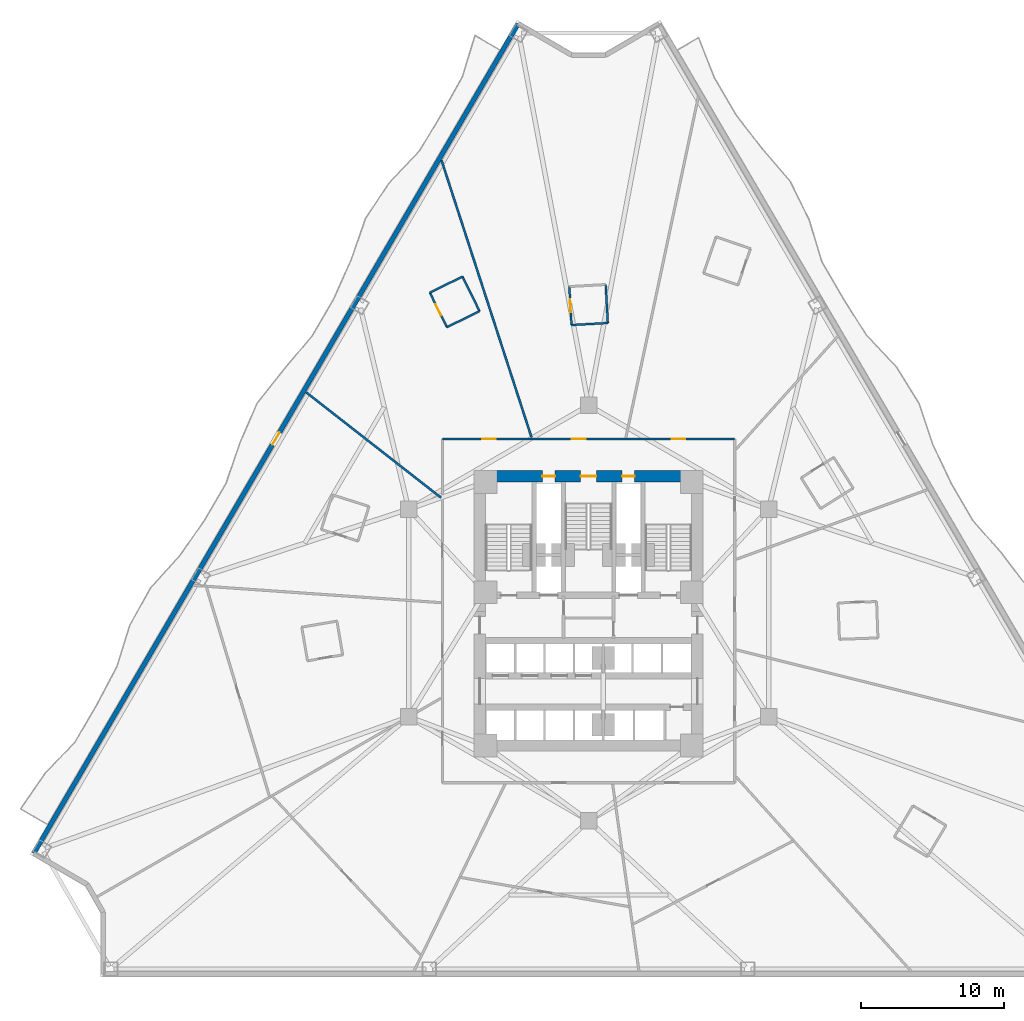
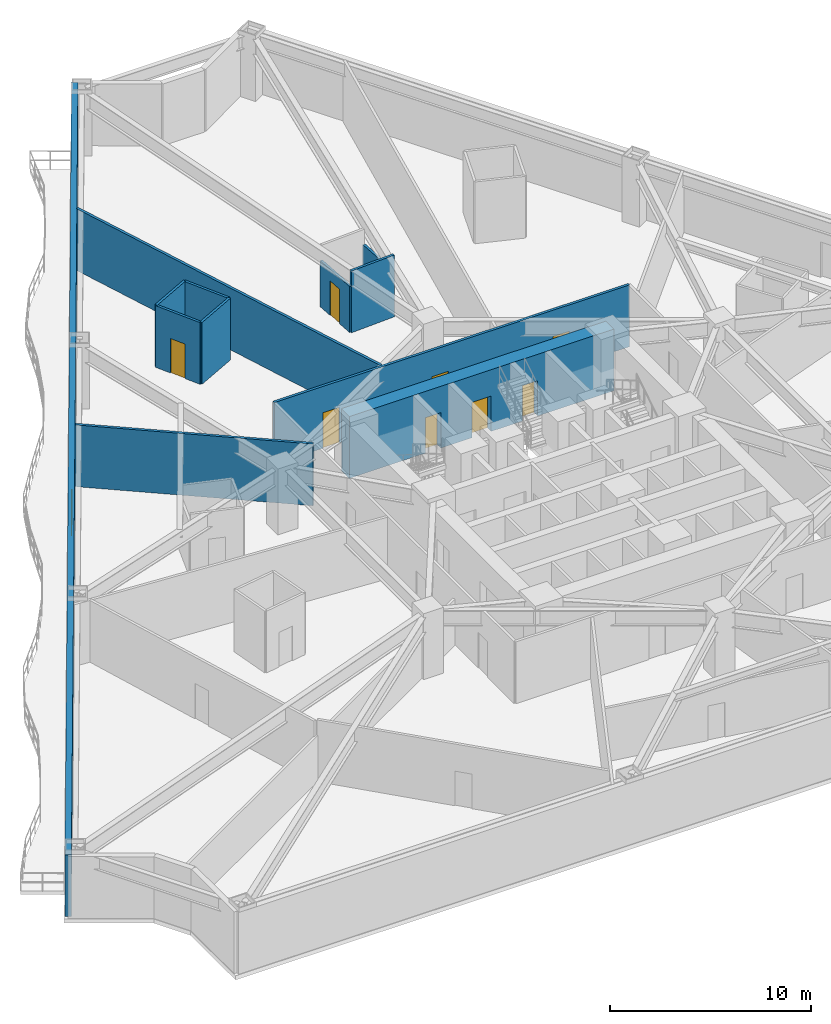
# One storey, part 6 of 11: 12 walls, 9 doors, 9 openings.
"""IFC4 building model written with IfcOpenShell, lengths in metres."""

from ifc_helpers import new_model, si_unit, direction, frame, frame_2d, origin, place, context, subcontext, project, spatial, rectangle, extrude, material, layer, layer_set, type_object, element, fill, save


model = new_model("IFC4")

# Units and contexts
model_context = context("Model", 3, precision=1e-05, world=origin(), true_north=direction((0.0, 1.0)))
body_context = subcontext(model_context, "Body", "Model", "MODEL_VIEW")
ifc_project = project(units=[si_unit("LENGTHUNIT", "METRE"), si_unit("AREAUNIT", "SQUARE_METRE"), si_unit("VOLUMEUNIT", "CUBIC_METRE"), si_unit("PLANEANGLEUNIT", "RADIAN"), si_unit("MASSUNIT", "GRAM", prefix="KILO")], contexts=[model_context])

# Site, building, storey
site_placement = place(None, origin())
site = spatial("IfcSite", under=ifc_project, at=site_placement, CompositionType="ELEMENT")
building_placement = place(site_placement, origin())
building = spatial("IfcBuilding", under=site, at=building_placement, Name="Apsidion Concourse Tower", CompositionType="ELEMENT")
storey_placement = place(building_placement, frame((0.0, 0.0, 54.39990234375)))
storey = spatial("IfcBuildingStorey", under=building, at=storey_placement, Name="L11", CompositionType="ELEMENT", Elevation=54.39990234375)

# Wall, opening, door
ifc_material_1 = material(Name="Precast concrete C40/50", Category="concrete")
ifc_layer_1 = layer(ifc_material_1, 0.320068359375)
ifc_layer_set_1 = layer_set([ifc_layer_1], Name="Precast concrete C40/50")
wall_type_1 = type_object("IfcWallType", Name="WL-EXT-320", PredefinedType="STANDARD", material=ifc_layer_set_1)
wall_1_placement = place(storey_placement, frame((-38.725830078125, -16.7734375, 0.0), z_axis=(0.0, 0.0, 1.0), x_axis=(0.504213113214, 0.863579258935, 0.0)))
wall_1 = element("IfcWall", 1, at=wall_1_placement, inside=storey, type_object=wall_type_1, Name="L11 Precast Stone Facade Wall 09", PredefinedType="STANDARD", context=body_context, shape_type="SweptSolid", body=[
    extrude(rectangle(XDim=67.041015625, YDim=0.320068359375, at=frame_2d((33.5205078125, 0.0))), origin(), (0.0, 0.0, 1.0), 3.75),
])
opening_1_placement = place(wall_1_placement, frame((33.0205078125, 0.0, 0.0)))
opening_1 = element("IfcOpeningElement", 2, at=opening_1_placement, cuts=wall_1, Name="Opening D-T1L", PredefinedType="OPENING", context=body_context, shape_type="SweptSolid", body=[
    extrude(rectangle(XDim=1.0, YDim=2.14990234375, at=frame_2d((0.5, 1.074951171875))), frame((0.0, 0.169921875, 0.0), z_axis=(0.0, -1.0, 0.0), x_axis=(1.0, 0.0, 0.0)), (0.0, 0.0, 1.0), 0.340087890625),
])
ifc_material_2 = material(Name="Anodised aluminium EN AW-6063 T6", Category="aluminium")
door_type_1 = type_object("IfcDoorType", Name="DR-TER-1022L", OperationType="SINGLE_SWING_LEFT", PredefinedType="DOOR", material=ifc_material_2)
door_1_placement = place(opening_1_placement, origin())
door_1 = element("IfcDoor", 3, at=door_1_placement, inside=storey, type_object=door_type_1, Name="L11 Balcony Access Door 2", OperationType="SINGLE_SWING_LEFT", OverallHeight=2.14990234375, OverallWidth=1.0, PredefinedType="DOOR", context=body_context, shape_type="SweptSolid", body=[
    extrude(rectangle(XDim=1.0, YDim=2.14990234375, at=frame_2d((0.5, 1.074951171875))), frame((0.0, 0.02490234375, 0.0), z_axis=(0.0, -1.0, 0.0), x_axis=(1.0, 0.0, 0.0)), (0.0, 0.0, 1.0), 0.050048828125),
])
fill(opening_1, door_1)

# Wall
ifc_material_3 = material(Name="Gypsum plasterboard partition")
ifc_layer_2 = layer(ifc_material_3, 0.139892578125)
ifc_layer_set_2 = layer_set([ifc_layer_2], Name="Gypsum plasterboard partition")
wall_type_2 = type_object("IfcWallType", Name="WL-INT-PAR-140", PredefinedType="PARTITIONING", material=ifc_layer_set_2)
wall_2_placement = place(storey_placement, frame((1.341552734375, 20.243896484375, 0.0), z_axis=(0.0, 0.0, 1.0), x_axis=(-0.055816855724, 0.998441024106, 0.0)))
element("IfcWall", 4, at=wall_2_placement, inside=storey, type_object=wall_type_2, Name="L11 Interior Partition WL-L11-POD-ENS08-S1", PredefinedType="PARTITIONING", context=body_context, shape_type="SweptSolid", body=[
    extrude(rectangle(XDim=2.68994140625, YDim=0.139892578125, at=frame_2d((1.344970703125, 0.0))), origin(), (0.0, 0.0, 1.0), 2.798095703125),
])

# Wall, opening, door
wall_3_placement = place(storey_placement, frame((-1.3447265625, 22.787841796875, 0.0), z_axis=(0.0, 0.0, 1.0), x_axis=(0.055816855724, -0.998441024106, 0.0)))
wall_3 = element("IfcWall", 5, at=wall_3_placement, inside=storey, type_object=wall_type_2, Name="L11 Interior Partition WL-L11-POD-ENS08-S3", PredefinedType="PARTITIONING", context=body_context, shape_type="SweptSolid", body=[
    extrude(rectangle(XDim=2.68994140625, YDim=0.139892578125, at=frame_2d((1.344970703125, 0.0))), origin(), (0.0, 0.0, 1.0), 2.798095703125),
])
opening_2_placement = place(wall_3_placement, frame((0.905029296875, 0.0, 0.0)))
opening_2 = element("IfcOpeningElement", 6, at=opening_2_placement, cuts=wall_3, Name="Opening D-03L", PredefinedType="OPENING", context=body_context, shape_type="SweptSolid", body=[
    extrude(rectangle(XDim=0.8798828125, YDim=2.10009765625, at=frame_2d((0.43994140625, 1.050048828125))), frame((0.0, 0.080078125, 0.0), z_axis=(0.0, -1.0, 0.0), x_axis=(1.0, 0.0, 0.0)), (0.0, 0.0, 1.0), 0.159912109375),
])
door_type_2 = type_object("IfcDoorType", Name="DR-INT-D03L", OperationType="SINGLE_SWING_LEFT", PredefinedType="DOOR", material=ifc_material_2)
door_2_placement = place(opening_2_placement, origin())
door_2 = element("IfcDoor", 7, at=door_2_placement, inside=storey, type_object=door_type_2, Name="L11 Guest En-Suite Bathroom Door ENS08", OperationType="SINGLE_SWING_LEFT", OverallHeight=2.10009765625, OverallWidth=0.8798828125, PredefinedType="DOOR", context=body_context, shape_type="SweptSolid", body=[
    extrude(rectangle(XDim=0.8798828125, YDim=2.10009765625, at=frame_2d((0.43994140625, 1.050048828125))), frame((0.0, 0.02490234375, 0.0), z_axis=(0.0, -1.0, 0.0), x_axis=(1.0, 0.0, 0.0)), (0.0, 0.0, 1.0), 0.050048828125),
])
fill(opening_2, door_2)

# Walls
wall_4_placement = place(storey_placement, frame((-1.194580078125, 20.10205078125, 0.0), z_axis=(0.0, 0.0, 1.0), x_axis=(0.998439582043, 0.055842645087, 0.0)))
element("IfcWall", 8, at=wall_4_placement, inside=storey, type_object=wall_type_2, Name="L11 Interior Partition WL-L11-POD-ENS08-S4", PredefinedType="PARTITIONING", context=body_context, shape_type="SweptSolid", body=[
    extrude(rectangle(XDim=2.5400390625, YDim=0.139892578125, at=frame_2d((1.27001953125, 0.0))), origin(), (0.0, 0.0, 1.0), 3.75),
])
wall_5_placement = place(storey_placement, frame((-7.614013671875, 21.071044921875, 0.0), z_axis=(0.0, 0.0, 1.0), x_axis=(-0.441468216104, 0.89727688824, 0.0)))
element("IfcWall", 9, at=wall_5_placement, inside=storey, type_object=wall_type_2, Name="L11 Interior Partition WL-L11-POD-ENS09-S1", PredefinedType="PARTITIONING", context=body_context, shape_type="SweptSolid", body=[
    extrude(rectangle(XDim=2.68994140625, YDim=0.139892578125, at=frame_2d((1.344970703125, 0.0))), origin(), (0.0, 0.0, 1.0), 3.75),
])
wall_6_placement = place(storey_placement, frame((-8.801513671875, 23.484619140625, 0.0), z_axis=(0.0, 0.0, 1.0), x_axis=(-0.897291929889, -0.441437642886, 0.0)))
element("IfcWall", 10, at=wall_6_placement, inside=storey, type_object=wall_type_2, Name="L11 Interior Partition WL-L11-POD-ENS09-S2", PredefinedType="PARTITIONING", context=body_context, shape_type="SweptSolid", body=[
    extrude(rectangle(XDim=2.540283203125, YDim=0.139892578125, at=frame_2d((1.27001953125, 0.0))), origin(), (0.0, 0.0, 1.0), 3.75),
])

# Wall, opening, door
wall_7_placement = place(storey_placement, frame((-11.080810546875, 22.36328125, 0.0), z_axis=(0.0, 0.0, 1.0), x_axis=(0.441541285032, -0.897240933982, 0.0)))
wall_7 = element("IfcWall", 11, at=wall_7_placement, inside=storey, type_object=wall_type_2, Name="L11 Interior Partition WL-L11-POD-ENS09-S3", PredefinedType="PARTITIONING", context=body_context, shape_type="SweptSolid", body=[
    extrude(rectangle(XDim=2.68994140625, YDim=0.139892578125, at=frame_2d((1.344970703125, 0.0))), origin(), (0.0, 0.0, 1.0), 3.75),
])
opening_3_placement = place(wall_7_placement, frame((0.905029296875, 0.0, 0.0)))
opening_3 = element("IfcOpeningElement", 12, at=opening_3_placement, cuts=wall_7, Name="Opening D-03R", PredefinedType="OPENING", context=body_context, shape_type="SweptSolid", body=[
    extrude(rectangle(XDim=0.8798828125, YDim=2.10009765625, at=frame_2d((0.43994140625, 1.050048828125))), frame((0.0, 0.080078125, 0.0), z_axis=(0.0, -1.0, 0.0), x_axis=(1.0, 0.0, 0.0)), (0.0, 0.0, 1.0), 0.159912109375),
])
door_type_3 = type_object("IfcDoorType", Name="DR-INT-D03R", OperationType="SINGLE_SWING_RIGHT", PredefinedType="DOOR", material=ifc_material_2)
door_3_placement = place(opening_3_placement, origin())
door_3 = element("IfcDoor", 13, at=door_3_placement, inside=storey, type_object=door_type_3, Name="L11 Guest En-Suite Bathroom Door ENS09", OperationType="SINGLE_SWING_RIGHT", OverallHeight=2.10009765625, OverallWidth=0.8798828125, PredefinedType="DOOR", context=body_context, shape_type="SweptSolid", body=[
    extrude(rectangle(XDim=0.8798828125, YDim=2.10009765625, at=frame_2d((0.43994140625, 1.050048828125))), frame((0.0, 0.02490234375, 0.0), z_axis=(0.0, -1.0, 0.0), x_axis=(1.0, 0.0, 0.0)), (0.0, 0.0, 1.0), 0.050048828125),
])
fill(opening_3, door_3)

# Wall
wall_8_placement = place(storey_placement, frame((-9.89306640625, 19.94970703125, 0.0), z_axis=(0.0, 0.0, 1.0), x_axis=(0.897273198593, 0.441475715173, 0.0)))
element("IfcWall", 14, at=wall_8_placement, inside=storey, type_object=wall_type_2, Name="L11 Interior Partition WL-L11-POD-ENS09-S4", PredefinedType="PARTITIONING", context=body_context, shape_type="SweptSolid", body=[
    extrude(rectangle(XDim=2.5400390625, YDim=0.139892578125, at=frame_2d((1.27001953125, 0.0))), origin(), (0.0, 0.0, 1.0), 3.75),
])

# Wall, openings, doors
ifc_layer_3 = layer(ifc_material_3, 0.14990234375)
ifc_layer_set_3 = layer_set([ifc_layer_3], Name="Gypsum plasterboard partition")
wall_type_3 = type_object("IfcWallType", Name="WL-INT-PAR-150", PredefinedType="PARTITIONING", material=ifc_layer_set_3)
wall_9_placement = place(storey_placement, frame((-10.199951171875, 12.14990234375, 0.0), z_axis=(0.0, 0.0, 1.0), x_axis=(1.0, 0.0, 0.0)))
wall_9 = element("IfcWall", 15, at=wall_9_placement, inside=storey, type_object=wall_type_3, Name="L11 Interior Partition WL-L11-CORR-01", PredefinedType="PARTITIONING", context=body_context, shape_type="SweptSolid", body=[
    extrude(rectangle(XDim=20.39990234375, YDim=0.14990234375, at=frame_2d((10.199951171875, 0.0))), origin(), (0.0, 0.0, 1.0), 3.75),
])
opening_4_placement = place(wall_9_placement, frame((15.998046875, 0.0, 0.0)))
opening_4 = element("IfcOpeningElement", 16, at=opening_4_placement, cuts=wall_9, Name="Opening D-01R", PredefinedType="OPENING", context=body_context, shape_type="SweptSolid", body=[
    extrude(rectangle(XDim=0.949951171875, YDim=2.14990234375, at=frame_2d((0.47509765625, 1.074951171875))), frame((0.0, 0.0849609375, 0.0), z_axis=(0.0, -1.0, 0.0), x_axis=(1.0, 0.0, 0.0)), (0.0, 0.0, 1.0), 0.169921875),
])
opening_5_placement = place(wall_9_placement, frame((9.03759765625, 0.0, 0.0)))
opening_5 = element("IfcOpeningElement", 17, at=opening_5_placement, cuts=wall_9, Name="Opening D-01L", PredefinedType="OPENING", context=body_context, shape_type="SweptSolid", body=[
    extrude(rectangle(XDim=0.949951171875, YDim=2.14990234375, at=frame_2d((0.47509765625, 1.074951171875))), frame((0.0, 0.0849609375, 0.0), z_axis=(0.0, -1.0, 0.0), x_axis=(1.0, 0.0, 0.0)), (0.0, 0.0, 1.0), 0.169921875),
])
opening_6_placement = place(wall_9_placement, frame((2.764404296875, 0.0, 0.0)))
opening_6 = element("IfcOpeningElement", 18, at=opening_6_placement, cuts=wall_9, Name="Opening D-01R", PredefinedType="OPENING", context=body_context, shape_type="SweptSolid", body=[
    extrude(rectangle(XDim=0.949951171875, YDim=2.14990234375, at=frame_2d((0.47509765625, 1.074951171875))), frame((0.0, 0.0849609375, 0.0), z_axis=(0.0, -1.0, 0.0), x_axis=(1.0, 0.0, 0.0)), (0.0, 0.0, 1.0), 0.169921875),
])
ifc_material_4 = material(Name="Brushed stainless steel 316", Category="steel")
door_type_4 = type_object("IfcDoorType", Name="DR-INT-D01L", OperationType="SINGLE_SWING_LEFT", PredefinedType="DOOR", material=ifc_material_4)
door_4_placement = place(opening_5_placement, origin())
door_4 = element("IfcDoor", 19, at=door_4_placement, inside=storey, type_object=door_type_4, Name="L11 Corridor Entry Door 09", OperationType="SINGLE_SWING_LEFT", OverallHeight=2.14990234375, OverallWidth=0.949951171875, PredefinedType="DOOR", context=body_context, shape_type="SweptSolid", body=[
    extrude(rectangle(XDim=0.949951171875, YDim=2.14990234375, at=frame_2d((0.47509765625, 1.074951171875))), frame((0.0, 0.02490234375, 0.0), z_axis=(0.0, -1.0, 0.0), x_axis=(1.0, 0.0, 0.0)), (0.0, 0.0, 1.0), 0.050048828125),
])
fill(opening_5, door_4)
door_type_5 = type_object("IfcDoorType", Name="DR-INT-D01R", OperationType="SINGLE_SWING_RIGHT", PredefinedType="DOOR", material=ifc_material_4)
door_5_placement = place(opening_4_placement, origin())
door_5 = element("IfcDoor", 20, at=door_5_placement, inside=storey, type_object=door_type_5, Name="L11 Corridor Entry Door 08", OperationType="SINGLE_SWING_RIGHT", OverallHeight=2.14990234375, OverallWidth=0.949951171875, PredefinedType="DOOR", context=body_context, shape_type="SweptSolid", body=[
    extrude(rectangle(XDim=0.949951171875, YDim=2.14990234375, at=frame_2d((0.47509765625, 1.074951171875))), frame((0.0, 0.02490234375, 0.0), z_axis=(0.0, -1.0, 0.0), x_axis=(1.0, 0.0, 0.0)), (0.0, 0.0, 1.0), 0.050048828125),
])
fill(opening_4, door_5)
door_6_placement = place(opening_6_placement, origin())
door_6 = element("IfcDoor", 21, at=door_6_placement, inside=storey, type_object=door_type_5, Name="L11 Corridor Entry Door 10", OperationType="SINGLE_SWING_RIGHT", OverallHeight=2.14990234375, OverallWidth=0.949951171875, PredefinedType="DOOR", context=body_context, shape_type="SweptSolid", body=[
    extrude(rectangle(XDim=0.949951171875, YDim=2.14990234375, at=frame_2d((0.47509765625, 1.074951171875))), frame((0.0, 0.02490234375, 0.0), z_axis=(0.0, -1.0, 0.0), x_axis=(1.0, 0.0, 0.0)), (0.0, 0.0, 1.0), 0.050048828125),
])
fill(opening_6, door_6)

# Walls
wall_10_placement = place(storey_placement, frame((-3.98193359375, 12.2548828125, 0.0), z_axis=(0.0, 0.0, 1.0), x_axis=(-0.309011216684, 0.951058393561, 0.0)))
element("IfcWall", 22, at=wall_10_placement, inside=storey, type_object=wall_type_3, Name="L11 Interior Partition WL-L11-RAD-04-1", PredefinedType="PARTITIONING", context=body_context, shape_type="SweptSolid", body=[
    extrude(rectangle(XDim=20.3544921875, YDim=0.14990234375, at=frame_2d((10.17724609375, 0.0))), origin(), (0.0, 0.0, 1.0), 3.75),
])
wall_11_placement = place(storey_placement, frame((-10.304931640625, 8.051025390625, 0.0), z_axis=(0.0, 0.0, 1.0), x_axis=(-0.788008281042, 0.615664640051, 0.0)))
element("IfcWall", 23, at=wall_11_placement, inside=storey, type_object=wall_type_3, Name="L11 Interior Partition WL-L11-RAD-05-1", PredefinedType="PARTITIONING", context=body_context, shape_type="SweptSolid", body=[
    extrude(rectangle(XDim=11.960205078125, YDim=0.14990234375, at=frame_2d((5.97998046875, 0.0))), origin(), (0.0, 0.0, 1.0), 3.75),
])

# Wall, openings, doors
ifc_material_5 = material(Name="Concrete C60/75", Category="concrete")
ifc_layer_4 = layer(ifc_material_5, 0.800048828125)
ifc_layer_set_4 = layer_set([ifc_layer_4], Name="Concrete C60/75")
wall_type_4 = type_object("IfcWallType", Name="WL-SH-800", PredefinedType="SHEAR", material=ifc_layer_set_4)
wall_12_placement = place(storey_placement, frame((-7.60009765625, 9.550048828125, 0.0), z_axis=(0.0, 0.0, 1.0), x_axis=(1.0, 0.0, 0.0)))
wall_12 = element("IfcWall", 24, at=wall_12_placement, inside=storey, type_object=wall_type_4, Name="L11 Central Core Shear Wall N", PredefinedType="SHEAR", context=body_context, shape_type="SweptSolid", body=[
    extrude(rectangle(XDim=15.2001953125, YDim=0.800048828125, at=frame_2d((7.60009765625, 0.0))), origin(), (0.0, 0.0, 1.0), 3.75),
])
opening_7_placement = place(wall_12_placement, frame((7.050048828125, 0.0, 0.0)))
opening_7 = element("IfcOpeningElement", 25, at=opening_7_placement, cuts=wall_12, Name="Opening D-STL", PredefinedType="OPENING", context=body_context, shape_type="SweptSolid", body=[
    extrude(rectangle(XDim=1.10009765625, YDim=2.14990234375, at=frame_2d((0.550048828125, 1.074951171875))), frame((0.0, 0.41015625, 0.0), z_axis=(0.0, -1.0, 0.0), x_axis=(1.0, 0.0, 0.0)), (0.0, 0.0, 1.0), 0.820068359375),
])
opening_8_placement = place(wall_12_placement, frame((4.3798828125, 0.0, 0.0)))
opening_8 = element("IfcOpeningElement", 26, at=opening_8_placement, cuts=wall_12, Name="Opening D-05L", PredefinedType="OPENING", context=body_context, shape_type="SweptSolid", body=[
    extrude(rectangle(XDim=0.8798828125, YDim=2.14990234375, at=frame_2d((0.43994140625, 1.074951171875))), frame((0.0, 0.41015625, 0.0), z_axis=(0.0, -1.0, 0.0), x_axis=(1.0, 0.0, 0.0)), (0.0, 0.0, 1.0), 0.820068359375),
])
opening_9_placement = place(wall_12_placement, frame((9.93994140625, 0.0, 0.0)))
opening_9 = element("IfcOpeningElement", 27, at=opening_9_placement, cuts=wall_12, Name="Opening D-05R", PredefinedType="OPENING", context=body_context, shape_type="SweptSolid", body=[
    extrude(rectangle(XDim=0.8798828125, YDim=2.14990234375, at=frame_2d((0.43994140625, 1.074951171875))), frame((0.0, 0.41015625, 0.0), z_axis=(0.0, -1.0, 0.0), x_axis=(1.0, 0.0, 0.0)), (0.0, 0.0, 1.0), 0.820068359375),
])
door_type_6 = type_object("IfcDoorType", Name="DR-INT-D05L", OperationType="SINGLE_SWING_LEFT", PredefinedType="DOOR", material=ifc_material_4)
door_7_placement = place(opening_8_placement, origin())
door_7 = element("IfcDoor", 28, at=door_7_placement, inside=storey, type_object=door_type_6, Name="L11 Electrical Riser Shaft Access Door", OperationType="SINGLE_SWING_LEFT", OverallHeight=2.14990234375, OverallWidth=0.8798828125, PredefinedType="DOOR", context=body_context, shape_type="SweptSolid", body=[
    extrude(rectangle(XDim=0.8798828125, YDim=2.14990234375, at=frame_2d((0.43994140625, 1.074951171875))), frame((0.0, 0.02490234375, 0.0), z_axis=(0.0, -1.0, 0.0), x_axis=(1.0, 0.0, 0.0)), (0.0, 0.0, 1.0), 0.050048828125),
])
fill(opening_8, door_7)
door_type_7 = type_object("IfcDoorType", Name="DR-INT-D05R", OperationType="SINGLE_SWING_RIGHT", PredefinedType="DOOR", material=ifc_material_4)
door_8_placement = place(opening_9_placement, origin())
door_8 = element("IfcDoor", 29, at=door_8_placement, inside=storey, type_object=door_type_7, Name="L11 Mechanical Riser Shaft Access Door", OperationType="SINGLE_SWING_RIGHT", OverallHeight=2.14990234375, OverallWidth=0.8798828125, PredefinedType="DOOR", context=body_context, shape_type="SweptSolid", body=[
    extrude(rectangle(XDim=0.8798828125, YDim=2.14990234375, at=frame_2d((0.43994140625, 1.074951171875))), frame((0.0, 0.02490234375, 0.0), z_axis=(0.0, -1.0, 0.0), x_axis=(1.0, 0.0, 0.0)), (0.0, 0.0, 1.0), 0.050048828125),
])
fill(opening_9, door_8)
door_type_8 = type_object("IfcDoorType", Name="DR-INT-ST1L", OperationType="SINGLE_SWING_LEFT", PredefinedType="DOOR", material=ifc_material_4)
door_9_placement = place(opening_7_placement, origin())
door_9 = element("IfcDoor", 30, at=door_9_placement, inside=storey, type_object=door_type_8, Name="L11 Core Exit Stair ST3 Door", OperationType="SINGLE_SWING_LEFT", OverallHeight=2.14990234375, OverallWidth=1.10009765625, PredefinedType="DOOR", context=body_context, shape_type="SweptSolid", body=[
    extrude(rectangle(XDim=1.10009765625, YDim=2.14990234375, at=frame_2d((0.550048828125, 1.074951171875))), frame((0.0, 0.02490234375, 0.0), z_axis=(0.0, -1.0, 0.0), x_axis=(1.0, 0.0, 0.0)), (0.0, 0.0, 1.0), 0.050048828125),
])
fill(opening_7, door_9)

save(model, "model.ifc")
